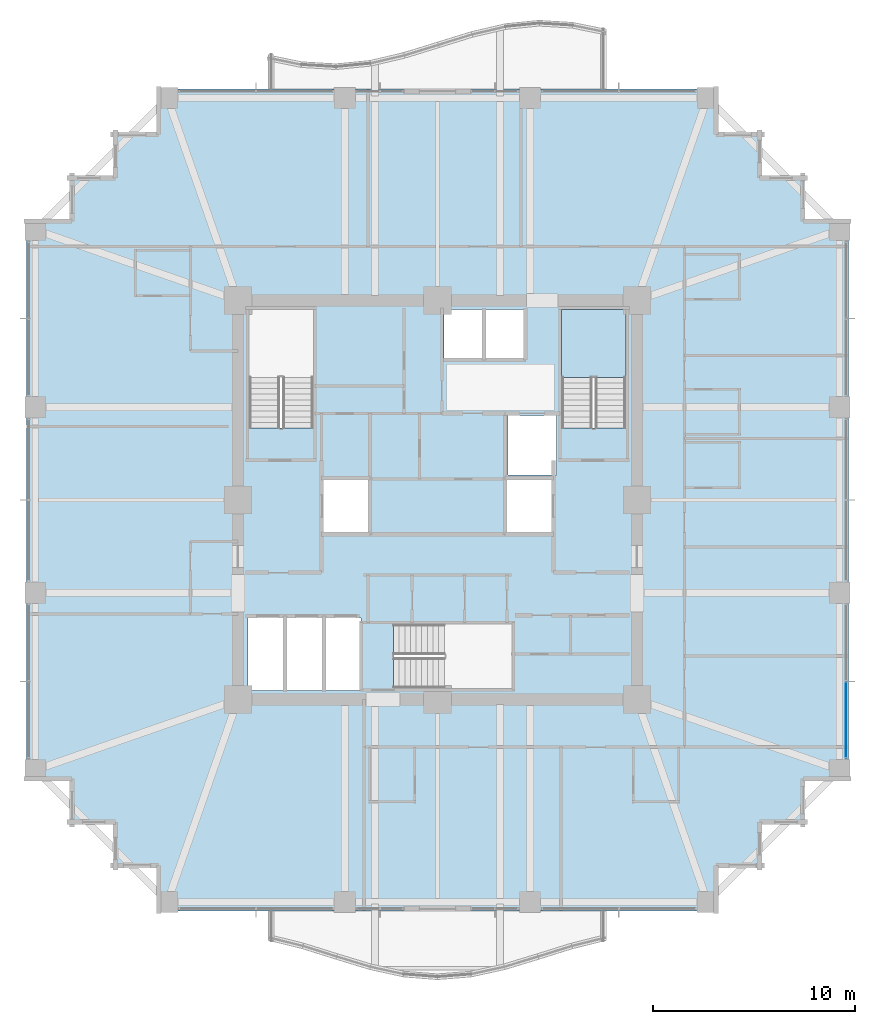
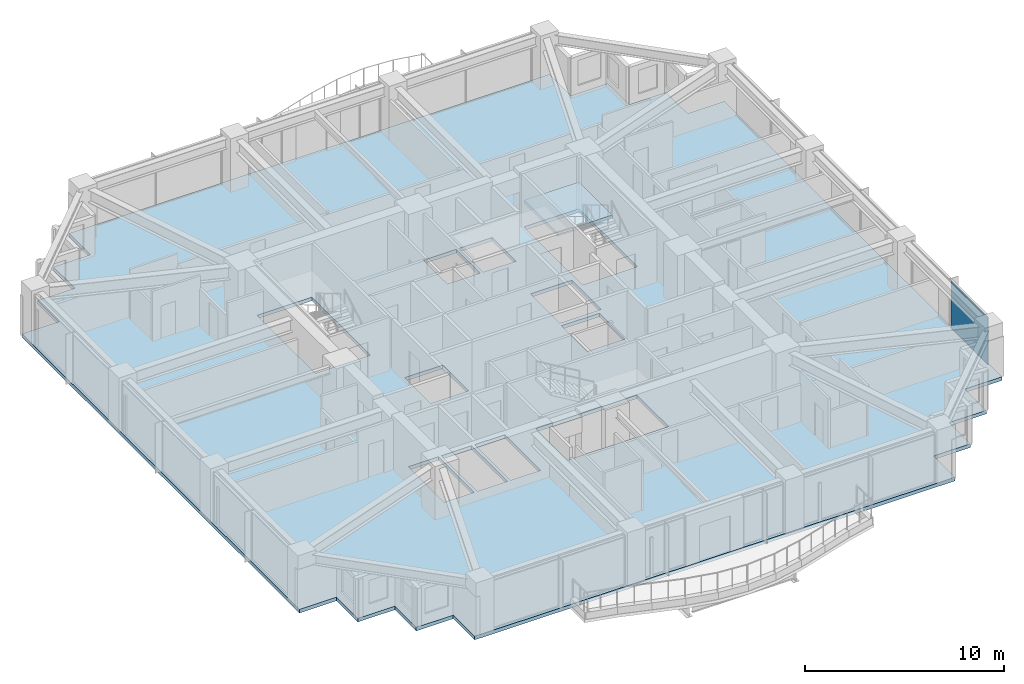
# One storey, part 28 of 38: 2 slabs, 1 plate, 2 elements without a shape of their own.
"""IFC4 building model written with IfcOpenShell, lengths in metres."""

from ifc_helpers import new_model, si_unit, direction, frame, origin, origin_2d, place, context, subcontext, project, spatial, polyline, rectangle, outline, extrude, material, layer, layer_set, type_object, element, aggregate, save


model = new_model("IFC4")

# Units and contexts
model_context = context("Model", 3, precision=1e-05, world=origin(), true_north=direction((0.0, 1.0)))
body_context = subcontext(model_context, "Body", "Model", "MODEL_VIEW")
ifc_project = project(units=[si_unit("LENGTHUNIT", "METRE"), si_unit("AREAUNIT", "SQUARE_METRE"), si_unit("VOLUMEUNIT", "CUBIC_METRE"), si_unit("PLANEANGLEUNIT", "RADIAN"), si_unit("MASSUNIT", "GRAM", prefix="KILO")], contexts=[model_context])

# Site, building, storey
site_placement = place(None, origin())
site = spatial("IfcSite", under=ifc_project, at=site_placement, CompositionType="ELEMENT")
building_placement = place(site_placement, origin())
building = spatial("IfcBuilding", under=site, at=building_placement, Name="Kolvaren Belvedere", CompositionType="ELEMENT")
storey_placement = place(building_placement, frame((0.0, 0.0, 98.60009765625)))
storey = spatial("IfcBuildingStorey", under=building, at=storey_placement, Name="L28", CompositionType="ELEMENT", Elevation=98.60009765625)

# Curtain wall, plate
ifc_material_1 = material(Name="Anodised pale-metal aluminium AA 6063-T6", Category="aluminium")
curtain_wall_type = type_object("IfcCurtainWallType", Name="CW-Z2-MID", PredefinedType="NOTDEFINED", material=ifc_material_1)
curtain_wall_placement = place(storey_placement, origin())
curtain_wall = element("IfcCurtainWall", 1, at=curtain_wall_placement, inside=storey, type_object=curtain_wall_type, Name="L28 Unitised Curtain Wall FCW-L28-E-B3", PredefinedType="NOTDEFINED")
ifc_material_2 = material(Name="Low-iron triple insulated glass", Category="glass")
ifc_layer_1 = layer(ifc_material_2, 0.028076171875)
ifc_layer_set_1 = layer_set([ifc_layer_1], Name="Low-iron triple insulated glass")
plate_type = type_object("IfcPlateType", Name="CW-PNL-VIS28", PredefinedType="CURTAIN_PANEL", material=ifc_layer_set_1)
plate_placement = place(storey_placement, frame((20.280029296875, -10.9111328125, 0.079833984375), z_axis=(0.0, 0.0, 1.0), x_axis=(0.0, -1.0, 0.0)))
plate = element("IfcPlate", 2, at=plate_placement, type_object=plate_type, Name="FCW-L28-E-B3 Vision Glazing Panel 2", PredefinedType="CURTAIN_PANEL", context=body_context, shape_type="SweptSolid", body=[
    extrude(rectangle(XDim=3.742431640625, YDim=0.028076171875, at=origin_2d()), origin(), (0.0, 0.0, 1.0), 2.919921875),
])
aggregate(curtain_wall, [plate])

# Slab
ifc_material_3 = material(Name="Concrete C50/60", Category="concrete")
ifc_layer_2 = layer(ifc_material_3, 0.219970703125)
ifc_layer_set_2 = layer_set([ifc_layer_2], Name="Concrete C50/60")
slab_type_1 = type_object("IfcSlabType", Name="SL-FLR-220", PredefinedType="FLOOR", material=ifc_layer_set_2)
slab_1_placement = place(storey_placement, frame((0.0, 0.0, -0.22021484375)))
element("IfcSlab", 3, at=slab_1_placement, inside=storey, type_object=slab_type_1, Name="L28 Primary Structural Slab", PredefinedType="FLOOR", context=body_context, shape_type="SweptSolid", body=[
    extrude(outline(polyline([(-13.949951171875, -20.39990234375), (13.949951171875, -20.39990234375), (13.949951171875, -18.25), (16.10009765625, -18.25), (16.10009765625, -16.10009765625), (18.25, -16.10009765625), (18.25, -13.949951171875), (20.39990234375, -13.949951171875), (20.39990234375, 13.949951171875), (18.25, 13.949951171875), (18.25, 16.10009765625), (16.10009765625, 16.10009765625), (16.10009765625, 18.25), (13.949951171875, 18.25), (13.949951171875, 20.39990234375), (-13.949951171875, 20.39990234375), (-13.949951171875, 18.25), (-16.10009765625, 18.25), (-16.10009765625, 16.10009765625), (-18.25, 16.10009765625), (-18.25, 13.949951171875), (-20.39990234375, 13.949951171875), (-20.39990234375, -13.949951171875), (-18.25, -13.949951171875), (-18.25, -16.10009765625), (-16.10009765625, -16.10009765625), (-16.10009765625, -18.25), (-13.949951171875, -18.25), (-13.949951171875, -20.39990234375)]), holes=[polyline([(-9.35009765625, 3.580078125), (-6.159912109375, 3.580078125), (-6.159912109375, 9.449951171875), (-9.35009765625, 9.449951171875), (-9.35009765625, 3.580078125)]), polyline([(6.159912109375, 3.580078125), (9.35009765625, 3.580078125), (9.35009765625, 9.449951171875), (6.159912109375, 9.449951171875), (6.159912109375, 3.580078125)]), polyline([(-2.169921875, -9.35009765625), (3.699951171875, -9.35009765625), (3.699951171875, -6.159912109375), (-2.169921875, -6.159912109375), (-2.169921875, -9.35009765625)]), polyline([(-5.64990234375, -1.60009765625), (-3.449951171875, -1.60009765625), (-3.449951171875, 1.0), (-5.64990234375, 1.0), (-5.64990234375, -1.60009765625)]), polyline([(3.5, 1.25), (5.89990234375, 1.25), (5.89990234375, 4.199951171875), (3.5, 4.199951171875), (3.5, 1.25)]), polyline([(3.449951171875, -1.60009765625), (5.64990234375, -1.60009765625), (5.64990234375, 1.0), (3.449951171875, 1.0), (3.449951171875, -1.60009765625)]), polyline([(-9.39990234375, -9.449951171875), (-7.64990234375, -9.449951171875), (-7.64990234375, -5.85009765625), (-9.39990234375, -5.85009765625), (-9.39990234375, -9.449951171875)]), polyline([(-7.469970703125, -9.449951171875), (-5.719970703125, -9.449951171875), (-5.719970703125, -5.85009765625), (-7.469970703125, -5.85009765625), (-7.469970703125, -9.449951171875)]), polyline([(-5.5400390625, -9.449951171875), (-3.7900390625, -9.449951171875), (-3.7900390625, -5.85009765625), (-5.5400390625, -5.85009765625), (-5.5400390625, -9.449951171875)]), polyline([(0.320068359375, 7.050048828125), (2.219970703125, 7.050048828125), (2.219970703125, 9.449951171875), (0.320068359375, 9.449951171875), (0.320068359375, 7.050048828125)]), polyline([(2.39990234375, 7.050048828125), (4.300048828125, 7.050048828125), (4.300048828125, 9.449951171875), (2.39990234375, 9.449951171875), (2.39990234375, 7.050048828125)])]), origin(), (0.0, 0.0, 1.0), 0.22021484375),
])

# Stair, slab
ifc_material_4 = material(Name="Concrete C50/60", Category="concrete")
stair_type = type_object("IfcStairType", Name="ST-CORE-1520", PredefinedType="HALF_TURN_STAIR", material=ifc_material_4)
stair_placement = place(storey_placement, origin())
stair = element("IfcStair", 4, at=stair_placement, inside=storey, type_object=stair_type, Name="L28 Protected Exit Stair ST-2", PredefinedType="HALF_TURN_STAIR")
ifc_material_5 = material(Name="Concrete C50/60", Category="concrete")
ifc_layer_3 = layer(ifc_material_5, 0.260009765625)
ifc_layer_set_3 = layer_set([ifc_layer_3], Name="Concrete C50/60")
slab_type_2 = type_object("IfcSlabType", Name="SL-LAND-260", PredefinedType="LANDING", material=ifc_layer_set_3)
slab_2_placement = place(storey_placement, frame((0.0, 0.0, 1.449951171875)))
slab_2 = element("IfcSlab", 5, at=slab_2_placement, type_object=slab_type_2, Name="ST-2 landing 1", PredefinedType="LANDING", context=body_context, shape_type="SweptSolid", body=[
    extrude(outline(polyline([(9.35009765625, 6.090087890625), (9.35009765625, 9.449951171875), (6.159912109375, 9.449951171875), (6.159912109375, 6.090087890625), (9.35009765625, 6.090087890625)])), origin(), (0.0, 0.0, 1.0), 0.199951171875),
])
aggregate(stair, [slab_2])

save(model, "model.ifc")
